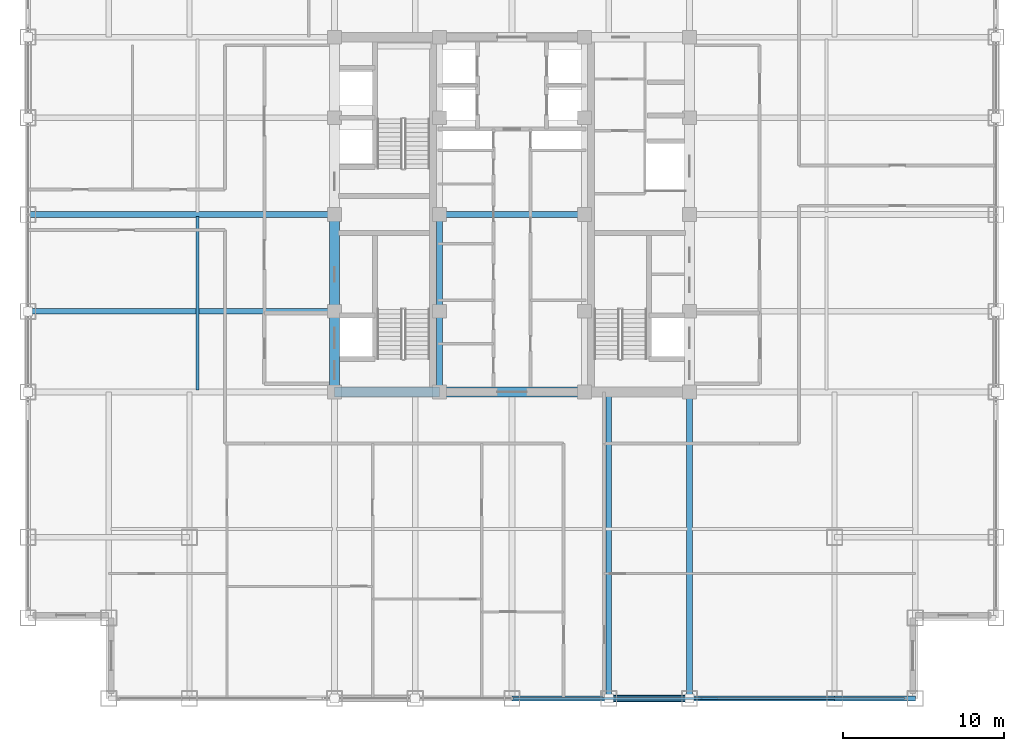
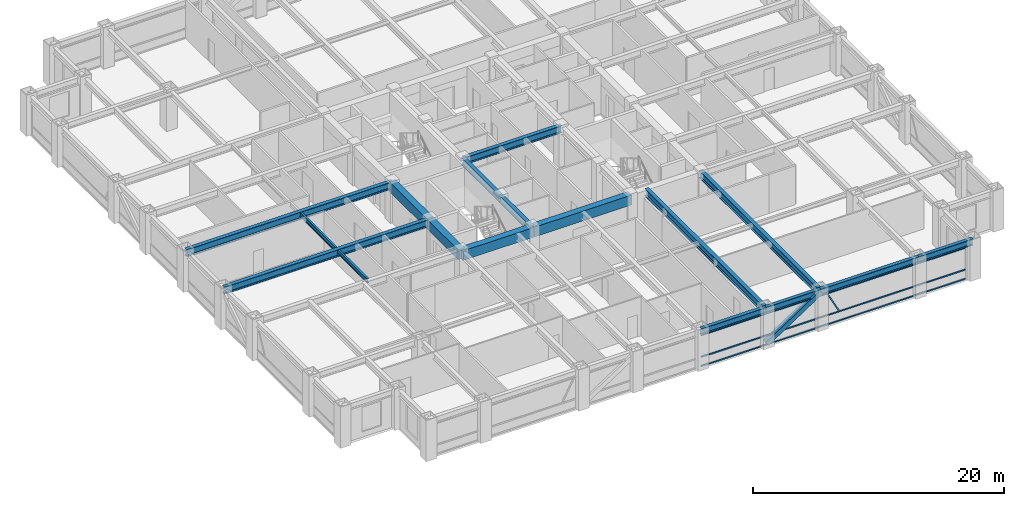
# One storey, part 7 of 24: 16 beams, 5 members, 1 element without a shape of its own.
"""IFC4 building model written with IfcOpenShell, lengths in metres."""

import ifcopenshell
import ifcopenshell.guid

model = None  # the IFC model being written
_history = None  # IfcOwnerHistory: only IFC2X3 demands one
_inside = {}  # id of a spatial element -> (the spatial element, [elements in it])
_under = {}  # id of a project, library or spatial element -> (it, [spatial elements below it])
_declared = {}  # id of a project -> (the project, [libraries it declares])
_typed = {}  # id of a type object -> (the type object, [elements of that type])
_made_of = {}  # id of a material, layer set ... -> (it, [elements and type objects made of it])


def new_model(schema):
    """Start an empty IFC model of exactly this schema.

    Asked for "IFC4X3", IfcOpenShell would pick the latest addendum, in which some entities
    have other attributes; the version numbers below select the first issue.
    IFC2X3 requires an IfcOwnerHistory on every rooted entity: one is made here for all.
    """
    global model, _history
    if schema == "IFC4X3":
        model = ifcopenshell.file(schema_version=(4, 3, 0, 0))
    else:
        model = ifcopenshell.file(schema=schema)
    _inside.clear()
    _under.clear()
    _declared.clear()
    _typed.clear()
    _made_of.clear()
    _history = None
    if model.schema == "IFC2X3":
        org = make("IfcOrganization", Name="unknown")
        user = make(
            "IfcPersonAndOrganization",
            ThePerson=make("IfcPerson", FamilyName="unknown"),
            TheOrganization=org,
        )
        app = make(
            "IfcApplication",
            ApplicationDeveloper=org,
            Version="unknown",
            ApplicationFullName="unknown",
            ApplicationIdentifier="unknown",
        )
        _history = make(
            "IfcOwnerHistory",
            OwningUser=user,
            OwningApplication=app,
            ChangeAction="ADDED",
            CreationDate=0,
        )
    return model


def make(cls, **values):
    """One entity of the class cls with the attributes given. An attribute that is None is left unset."""
    return model.create_entity(
        cls, **{name: value for name, value in values.items() if value is not None}
    )


def rooted(cls, **values):
    """An entity with a GlobalId (a new one), such as an element, a storey or a relation."""
    return make(cls, GlobalId=ifcopenshell.guid.new(), OwnerHistory=_history, **values)


def si_unit(unit_type, name, prefix=None):
    """IfcSIUnit, for example si_unit("LENGTHUNIT", "METRE", prefix="MILLI")."""
    return make("IfcSIUnit", UnitType=unit_type, Prefix=prefix, Name=name)


def assignment(units):
    """IfcUnitAssignment: the units of a project."""
    return None if units is None else make("IfcUnitAssignment", Units=units)


def point(xyz):
    """IfcCartesianPoint."""
    return None if xyz is None else make("IfcCartesianPoint", Coordinates=xyz)


def direction(xyz):
    """IfcDirection."""
    return None if xyz is None else make("IfcDirection", DirectionRatios=xyz)


def frame(location, z_axis=None, x_axis=None):
    """IfcAxis2Placement3D, a coordinate frame: its origin and axes. An axis left out is left unset."""
    return make(
        "IfcAxis2Placement3D",
        Location=point(location),
        Axis=direction(z_axis),
        RefDirection=direction(x_axis),
    )


def frame_2d(location, x_axis=None):
    """IfcAxis2Placement2D, a coordinate frame in the plane: its origin and x axis."""
    return make(
        "IfcAxis2Placement2D", Location=point(location), RefDirection=direction(x_axis)
    )


def origin():
    """The frame at (0, 0, 0) with its axes left unset."""
    return frame((0.0, 0.0, 0.0))


def origin_2d():
    """The frame at (0, 0) in the plane with its x axis left unset."""
    return frame_2d((0.0, 0.0))


def place(relative_to, where):
    """IfcLocalPlacement: puts the frame where relative to a parent placement (None: the world)."""
    return make(
        "IfcLocalPlacement", PlacementRelTo=relative_to, RelativePlacement=where
    )


def context(
    kind, dimensions, precision=None, world=None, true_north=None, identifier=None
):
    """IfcGeometricRepresentationContext, for example the 3D "Model" context."""
    return make(
        "IfcGeometricRepresentationContext",
        ContextIdentifier=identifier,
        ContextType=kind,
        CoordinateSpaceDimension=dimensions,
        Precision=precision,
        WorldCoordinateSystem=world,
        TrueNorth=true_north,
    )


def subcontext(parent, identifier, kind, view, scale=None):
    """IfcGeometricRepresentationSubContext, for example "Body" below "Model"."""
    return make(
        "IfcGeometricRepresentationSubContext",
        ContextIdentifier=identifier,
        ContextType=kind,
        ParentContext=parent,
        TargetScale=scale,
        TargetView=view,
    )


def project(units=None, contexts=None):
    """IfcProject with its units and contexts."""
    return rooted(
        "IfcProject",
        Name="project",
        RepresentationContexts=contexts,
        UnitsInContext=assignment(units),
    )


def spatial(cls, under=None, at=None, **own):
    """A site, building, storey or space (cls), placed at a placement, below another one or the project."""
    s = rooted(cls, ObjectPlacement=at, **own)
    if under is not None:
        _under.setdefault(under.id(), (under, []))[1].append(s)
    return s


def profile(cls, at=None, kind="AREA", **sizes):
    """A parametric profile (cls). Its sizes go by their IFC names, for example OverallWidth=200.0."""
    return make(cls, ProfileType=kind, Position=at, **sizes)


def rectangle(**sizes):
    """IfcRectangleProfileDef."""
    return profile("IfcRectangleProfileDef", **sizes)


def hollow_rectangle(**sizes):
    """IfcRectangleHollowProfileDef."""
    return profile("IfcRectangleHollowProfileDef", **sizes)


def i_section(**sizes):
    """IfcIShapeProfileDef."""
    return profile("IfcIShapeProfileDef", **sizes)


def extrude(swept, where, along, depth):
    """IfcExtrudedAreaSolid: the profile swept, set in the frame where, extruded along a direction by depth."""
    return make(
        "IfcExtrudedAreaSolid",
        SweptArea=swept,
        Position=where,
        ExtrudedDirection=direction(along),
        Depth=depth,
    )


def shape(context_of_items, identifier, shape_type, items):
    """IfcShapeRepresentation: the items that make up one representation, for example the "Body"."""
    return make(
        "IfcShapeRepresentation",
        ContextOfItems=context_of_items,
        RepresentationIdentifier=identifier,
        RepresentationType=shape_type,
        Items=items,
    )


def source(mapping_origin, context_of_items, identifier, shape_type, items):
    """IfcRepresentationMap: a shape defined once, which mapped items show again and again."""
    return make(
        "IfcRepresentationMap",
        MappingOrigin=mapping_origin,
        MappedRepresentation=shape(context_of_items, identifier, shape_type, items),
    )


def transform(
    local_origin,
    x_axis=None,
    y_axis=None,
    z_axis=None,
    scale=None,
    scale2=None,
    scale3=None,
    uniform=True,
):
    """IfcCartesianTransformationOperator3D, or its non-uniform kind. x_axis, y_axis, z_axis: its Axis1, 2, 3."""
    if uniform:
        return make(
            "IfcCartesianTransformationOperator3D",
            Axis1=direction(x_axis),
            Axis2=direction(y_axis),
            LocalOrigin=point(local_origin),
            Scale=scale,
            Axis3=direction(z_axis),
        )
    return make(
        "IfcCartesianTransformationOperator3DnonUniform",
        Axis1=direction(x_axis),
        Axis2=direction(y_axis),
        LocalOrigin=point(local_origin),
        Scale=scale,
        Axis3=direction(z_axis),
        Scale2=scale2,
        Scale3=scale3,
    )


def mapped(mapping_source, mapping_target):
    """IfcMappedItem: shows the shape of a source again, moved by a transform."""
    return make(
        "IfcMappedItem", MappingSource=mapping_source, MappingTarget=mapping_target
    )


def material(Name=None, Category=None):
    """IfcMaterial."""
    return make("IfcMaterial", Name=Name, Category=Category)


def material_profile(
    of_material, cross_section, Name=None, Category=None, Priority=None
):
    """IfcMaterialProfile: a cross section and its material."""
    return make(
        "IfcMaterialProfile",
        Name=Name,
        Material=of_material,
        Profile=cross_section,
        Priority=Priority,
        Category=Category,
    )


def profile_set(profiles, Name=None, composite=None):
    """IfcMaterialProfileSet."""
    return make(
        "IfcMaterialProfileSet",
        Name=Name,
        MaterialProfiles=profiles,
        CompositeProfile=composite,
    )


def made_of(thing, what):
    """Note that an element or type object is made of a material, layer set ...; save() writes the relation."""
    if what is not None:
        _made_of.setdefault(what.id(), (what, []))[1].append(thing)
    return thing


def type_object(cls, material=None, **own):
    """A type object (cls), such as IfcWallType, which elements share."""
    return made_of(rooted(cls, **own), material)


def element(
    cls,
    number,
    at=None,
    inside=None,
    cuts=None,
    type_object=None,
    material=None,
    context=None,
    identifier="Body",
    shape_type=None,
    held_by="IfcProductDefinitionShape",
    body=None,
    shapes=None,
    **own,
):
    """One element of the class cls, such as IfcWall. Its Tag is "e" and its number.

    at: its placement. inside: the storey or other place that contains it. cuts: it is an
    opening in that element (IfcRelVoidsElement). A single representation is given by context,
    identifier, shape_type and body (its items); several are given by shapes. held_by: the class
    of the entity that holds the representations. save() writes the other relations.
    """
    e = rooted(cls, Tag="e%d" % number, ObjectPlacement=at, **own)
    if body is not None:
        shapes = [shape(context, identifier, shape_type, body)]
    if shapes is not None:
        e.Representation = make(held_by, Representations=shapes)
    if inside is not None:
        _inside.setdefault(inside.id(), (inside, []))[1].append(e)
    if cuts is not None:
        rooted(
            "IfcRelVoidsElement", RelatingBuildingElement=cuts, RelatedOpeningElement=e
        )
    if type_object is not None:
        _typed.setdefault(type_object.id(), (type_object, []))[1].append(e)
    return made_of(e, material)


def aggregate(whole, parts):
    """IfcRelAggregates: a whole, such as a stair, and the parts it consists of."""
    return rooted("IfcRelAggregates", RelatingObject=whole, RelatedObjects=parts)


def save(model, path):
    """Write the relations noted so far, then the file.

    IfcRelAggregates (storeys below a building ...), IfcRelContainedInSpatialStructure (elements
    in a storey), IfcRelDefinesByType, IfcRelAssociatesMaterial and IfcRelDeclares: one each for
    every whole, place, type object, material and project.
    """
    for whole, parts in _under.values():
        aggregate(whole, parts)
    for where, things in _inside.values():
        rooted(
            "IfcRelContainedInSpatialStructure",
            RelatedElements=things,
            RelatingStructure=where,
        )
    for kind, things in _typed.values():
        rooted("IfcRelDefinesByType", RelatedObjects=things, RelatingType=kind)
    for what, things in _made_of.values():
        rooted("IfcRelAssociatesMaterial", RelatedObjects=things, RelatingMaterial=what)
    for by, libraries in _declared.values():
        rooted("IfcRelDeclares", RelatingContext=by, RelatedDefinitions=libraries)
    model.write(path)


model = new_model("IFC4")

# Units and contexts
model_context = context("Model", 3, precision=1e-05, world=origin(), true_north=direction((0.0, 1.0)))
body_context = subcontext(model_context, "Body", "Model", "MODEL_VIEW")
ifc_project = project(units=[si_unit("LENGTHUNIT", "METRE"), si_unit("AREAUNIT", "SQUARE_METRE"), si_unit("VOLUMEUNIT", "CUBIC_METRE"), si_unit("PLANEANGLEUNIT", "RADIAN"), si_unit("MASSUNIT", "GRAM", prefix="KILO")], contexts=[model_context])

# Site, building, storey
site_placement = place(None, origin())
site = spatial("IfcSite", under=ifc_project, at=site_placement, CompositionType="ELEMENT")
building_placement = place(site_placement, origin())
building = spatial("IfcBuilding", under=site, at=building_placement, Name="Khorayat Bourse Tower", CompositionType="ELEMENT")
storey_placement = place(building_placement, frame((0.0, 0.0, 215.10009765625)))
storey = spatial("IfcBuildingStorey", under=building, at=storey_placement, Name="L50", CompositionType="ELEMENT", Elevation=215.10009765625)

# Beams
ifc_material_1 = material(Name="Steel ASTM A992 Grade 50", Category="steel")
ifc_material_profile_1 = material_profile(ifc_material_1, i_section(OverallWidth=0.35498046875, OverallDepth=0.695068359375, WebThickness=0.015380859375, FlangeThickness=0.02490234375, FilletRadius=0.01806640625, at=origin_2d()), Name="W690X217")
ifc_profile_set_1 = profile_set([ifc_material_profile_1], Name="Steel ASTM A992 Grade 50")
beam_type_1 = type_object("IfcBeamType", Name="BM-GIRD-690", PredefinedType="BEAM", material=ifc_profile_set_1)
shared_shape_1 = source(origin(), body_context, "Body", "SweptSolid", [
    extrude(i_section(OverallWidth=0.35498046875, OverallDepth=0.695068359375, WebThickness=0.015380859375, FlangeThickness=0.02490234375, FilletRadius=0.01806640625, at=origin_2d()), origin(), (0.0, 0.0, 1.0), 5.0),
])
beam_1_placement = place(storey_placement, frame((-4.5, -11.0, 3.432373046875), z_axis=(0.0, 1.0, 0.0), x_axis=(-1.0, 0.0, 0.0)))
element("IfcBeam", 1, at=beam_1_placement, inside=storey, type_object=beam_type_1, Name="L50 BM-GIRD-690 BM-L50-CRX-05", PredefinedType="BEAM", context=body_context, shape_type="MappedRepresentation", body=[
    mapped(shared_shape_1, transform((0.0, 0.0, 0.0), scale=1.0)),
])
shared_shape_2 = source(origin(), body_context, "Body", "SweptSolid", [
    extrude(i_section(OverallWidth=0.35498046875, OverallDepth=0.695068359375, WebThickness=0.015380859375, FlangeThickness=0.02490234375, FilletRadius=0.01806640625, at=origin_2d()), origin(), (0.0, 0.0, 1.0), 6.0),
])
beam_2_placement = place(storey_placement, frame((-4.5, -6.0, 3.432373046875), z_axis=(0.0, 1.0, 0.0), x_axis=(-1.0, 0.0, 0.0)))
element("IfcBeam", 2, at=beam_2_placement, inside=storey, type_object=beam_type_1, Name="L50 BM-GIRD-690 BM-L50-CRX-06", PredefinedType="BEAM", context=body_context, shape_type="MappedRepresentation", body=[
    mapped(shared_shape_2, transform((0.0, 0.0, 0.0), scale=1.0)),
])
shared_shape_3 = source(origin(), body_context, "Body", "SweptSolid", [
    extrude(i_section(OverallWidth=0.35498046875, OverallDepth=0.695068359375, WebThickness=0.015380859375, FlangeThickness=0.02490234375, FilletRadius=0.01806640625, at=origin_2d()), origin(), (0.0, 0.0, 1.0), 9.0),
])
beam_3_placement = place(storey_placement, frame((-4.5, 0.0, 3.432373046875), z_axis=(1.0, 0.0, 0.0), x_axis=(0.0, 1.0, 0.0)))
element("IfcBeam", 3, at=beam_3_placement, inside=storey, type_object=beam_type_1, Name="L50 BM-GIRD-690 BM-L50-CRY-23", PredefinedType="BEAM", context=body_context, shape_type="MappedRepresentation", body=[
    mapped(shared_shape_3, transform((0.0, 0.0, 0.0), scale=1.0)),
])
ifc_material_profile_2 = material_profile(ifc_material_1, i_section(OverallWidth=0.180908203125, OverallDepth=0.4169921875, WebThickness=0.010986328125, FlangeThickness=0.018310546875, FilletRadius=0.011962890625, at=origin_2d()), Name="W410X85")
ifc_profile_set_2 = profile_set([ifc_material_profile_2], Name="Steel ASTM A992 Grade 50")
beam_type_2 = type_object("IfcBeamType", Name="BM-JOIST-410", PredefinedType="JOIST", material=ifc_profile_set_2)
shared_shape_4 = source(origin(), body_context, "Body", "SweptSolid", [
    extrude(i_section(OverallWidth=0.180908203125, OverallDepth=0.4169921875, WebThickness=0.010986328125, FlangeThickness=0.018310546875, FilletRadius=0.011962890625, at=origin_2d()), origin(), (0.0, 0.0, 1.0), 10.740234375),
])
beam_4_placement = place(storey_placement, frame((-19.5, -10.8701171875, 3.5712890625), z_axis=(0.0, 1.0, 0.0), x_axis=(-1.0, 0.0, 0.0)))
element("IfcBeam", 4, at=beam_4_placement, inside=storey, type_object=beam_type_2, Name="L50 BM-JOIST-410 BM-L50-JSTY-102", PredefinedType="JOIST", context=body_context, shape_type="MappedRepresentation", body=[
    mapped(shared_shape_4, transform((0.0, 0.0, 0.0), scale=1.0)),
])
ifc_material_profile_3 = material_profile(ifc_material_1, i_section(OverallWidth=0.324951171875, OverallDepth=0.615966796875, WebThickness=0.013916015625, FlangeThickness=0.021484375, FilletRadius=0.01611328125, at=origin_2d()), Name="W610X174")
ifc_profile_set_3 = profile_set([ifc_material_profile_3], Name="Steel ASTM A992 Grade 50")
beam_type_3 = type_object("IfcBeamType", Name="BM-SPAN-610", PredefinedType="SPANDREL", material=ifc_profile_set_3)
shared_shape_5 = source(origin(), body_context, "Body", "SweptSolid", [
    extrude(i_section(OverallWidth=0.324951171875, OverallDepth=0.615966796875, WebThickness=0.013916015625, FlangeThickness=0.021484375, FilletRadius=0.01611328125, at=origin_2d()), origin(), (0.0, 0.0, 1.0), 9.0),
])
beam_5_placement = place(storey_placement, frame((11.0, -30.0, 3.471923828125), z_axis=(1.0, 0.0, 0.0), x_axis=(0.0, 1.0, 0.0)))
element("IfcBeam", 5, at=beam_5_placement, inside=storey, type_object=beam_type_3, Name="L50 BM-SPAN-610 BM-L50-SPN-030", PredefinedType="SPANDREL", context=body_context, shape_type="MappedRepresentation", body=[
    mapped(shared_shape_5, transform((0.0, 0.0, 0.0), scale=1.0)),
])
shared_shape_6 = source(origin(), body_context, "Body", "SweptSolid", [
    extrude(i_section(OverallWidth=0.324951171875, OverallDepth=0.615966796875, WebThickness=0.013916015625, FlangeThickness=0.021484375, FilletRadius=0.01611328125, at=origin_2d()), origin(), (0.0, 0.0, 1.0), 5.0),
])
for number, where, z_axis, x_axis, name in (
    (6, (6.0, -30.0, 3.471923828125), (1.0, 0.0, 0.0), (0.0, 1.0, 0.0), "L50 BM-SPAN-610 BM-L50-SPN-029"),
    (7, (20.0, -30.0, 3.471923828125), (1.0, 0.0, 0.0), (0.0, 1.0, 0.0), "L50 BM-SPAN-610 BM-L50-SPN-031"),
):
    element("IfcBeam", number, at=place(storey_placement, frame(where, z_axis=z_axis, x_axis=x_axis)), inside=storey, type_object=beam_type_3, Name=name, PredefinedType="SPANDREL", context=body_context, shape_type="MappedRepresentation", body=[
        mapped(shared_shape_6, transform((0.0, 0.0, 0.0), scale=1.0)),
    ])
shared_shape_7 = source(origin(), body_context, "Body", "SweptSolid", [
    extrude(i_section(OverallWidth=0.324951171875, OverallDepth=0.615966796875, WebThickness=0.013916015625, FlangeThickness=0.021484375, FilletRadius=0.01611328125, at=origin_2d()), origin(), (0.0, 0.0, 1.0), 6.0),
])
beam_6_placement = place(storey_placement, frame((0.0, -30.0, 3.471923828125), z_axis=(1.0, 0.0, 0.0), x_axis=(0.0, 1.0, 0.0)))
element("IfcBeam", 8, at=beam_6_placement, inside=storey, type_object=beam_type_3, Name="L50 BM-SPAN-610 BM-L50-SPN-028", PredefinedType="SPANDREL", context=body_context, shape_type="MappedRepresentation", body=[
    mapped(shared_shape_7, transform((0.0, 0.0, 0.0), scale=1.0)),
])
ifc_material_2 = material(Name="Concrete C60/75", Category="concrete")
ifc_material_profile_4 = material_profile(ifc_material_2, rectangle(XDim=0.60009765625, YDim=0.949951171875, at=origin_2d()), Name="RC 600x950")
ifc_profile_set_4 = profile_set([ifc_material_profile_4], Name="Concrete C60/75")
beam_type_4 = type_object("IfcBeamType", Name="BM-COUP-950", PredefinedType="BEAM", material=ifc_profile_set_4)
shared_shape_8 = source(origin(), body_context, "Body", "SweptSolid", [
    extrude(rectangle(XDim=0.60009765625, YDim=0.949951171875, at=origin_2d()), origin(), (0.0, 0.0, 1.0), 5.0),
])
beam_7_placement = place(storey_placement, frame((-11.0, -11.0, 3.304931640625), z_axis=(0.0, 1.0, 0.0), x_axis=(-1.0, 0.0, 0.0)))
element("IfcBeam", 9, at=beam_7_placement, inside=storey, type_object=beam_type_4, Name="L50 BM-COUP-950 BM-L50-CRX-01", PredefinedType="BEAM", context=body_context, shape_type="MappedRepresentation", body=[
    mapped(shared_shape_8, transform((0.0, 0.0, 0.0), scale=1.0)),
])
shared_shape_9 = source(origin(), body_context, "Body", "SweptSolid", [
    extrude(rectangle(XDim=0.60009765625, YDim=0.949951171875, at=origin_2d()), origin(), (0.0, 0.0, 1.0), 6.0),
])
beam_8_placement = place(storey_placement, frame((-11.0, -6.0, 3.304931640625), z_axis=(0.0, 1.0, 0.0), x_axis=(-1.0, 0.0, 0.0)))
element("IfcBeam", 10, at=beam_8_placement, inside=storey, type_object=beam_type_4, Name="L50 BM-COUP-950 BM-L50-CRX-02", PredefinedType="BEAM", context=body_context, shape_type="MappedRepresentation", body=[
    mapped(shared_shape_9, transform((0.0, 0.0, 0.0), scale=1.0)),
])
shared_shape_10 = source(origin(), body_context, "Body", "SweptSolid", [
    extrude(rectangle(XDim=0.60009765625, YDim=0.949951171875, at=origin_2d()), origin(), (0.0, 0.0, 1.0), 6.5),
])
beam_9_placement = place(storey_placement, frame((-11.0, -11.0, 3.304931640625), z_axis=(1.0, 0.0, 0.0), x_axis=(0.0, 1.0, 0.0)))
element("IfcBeam", 11, at=beam_9_placement, inside=storey, type_object=beam_type_4, Name="L50 BM-COUP-950 BM-L50-CRY-17", PredefinedType="BEAM", context=body_context, shape_type="MappedRepresentation", body=[
    mapped(shared_shape_10, transform((0.0, 0.0, 0.0), scale=1.0)),
])
shared_shape_11 = source(origin(), body_context, "Body", "SweptSolid", [
    extrude(rectangle(XDim=0.60009765625, YDim=0.949951171875, at=origin_2d()), origin(), (0.0, 0.0, 1.0), 9.0),
])
beam_10_placement = place(storey_placement, frame((-4.5, -11.0, 3.304931640625), z_axis=(1.0, 0.0, 0.0), x_axis=(0.0, 1.0, 0.0)))
element("IfcBeam", 12, at=beam_10_placement, inside=storey, type_object=beam_type_4, Name="L50 BM-COUP-950 BM-L50-CRY-18", PredefinedType="BEAM", context=body_context, shape_type="MappedRepresentation", body=[
    mapped(shared_shape_11, transform((0.0, 0.0, 0.0), scale=1.0)),
])
shared_shape_12 = source(origin(), body_context, "Body", "SweptSolid", [
    extrude(i_section(OverallWidth=0.35498046875, OverallDepth=0.695068359375, WebThickness=0.015380859375, FlangeThickness=0.02490234375, FilletRadius=0.01806640625, at=origin_2d()), origin(), (0.0, 0.0, 1.0), 19.0),
])
for number, where, z_axis, x_axis, name in (
    (13, (6.0, -30.0, 3.432373046875), (0.0, 1.0, 0.0), (-1.0, 0.0, 0.0), "L50 BM-GIRD-690 BM-L50-RADY-071"),
    (14, (11.0, -30.0, 3.432373046875), (0.0, 1.0, 0.0), (-1.0, 0.0, 0.0), "L50 BM-GIRD-690 BM-L50-RADY-073"),
    (15, (-30.0, -6.0, 3.432373046875), (1.0, 0.0, 0.0), (0.0, 1.0, 0.0), "L50 BM-GIRD-690 BM-L50-RADX-077"),
    (16, (-30.0, 0.0, 3.432373046875), (1.0, 0.0, 0.0), (0.0, 1.0, 0.0), "L50 BM-GIRD-690 BM-L50-RADX-079"),
):
    element("IfcBeam", number, at=place(storey_placement, frame(where, z_axis=z_axis, x_axis=x_axis)), inside=storey, type_object=beam_type_1, Name=name, PredefinedType="BEAM", context=body_context, shape_type="MappedRepresentation", body=[
        mapped(shared_shape_12, transform((0.0, 0.0, 0.0), scale=1.0)),
    ])

# Member
ifc_material_3 = material(Name="Steel EN 10025-4 S460M", Category="steel")
ifc_material_profile_5 = material_profile(ifc_material_3, hollow_rectangle(XDim=0.449951171875, YDim=0.449951171875, WallThickness=0.02490234375, at=origin_2d()), Name="HSS 450x450x25")
ifc_profile_set_5 = profile_set([ifc_material_profile_5], Name="Steel EN 10025-4 S460M")
member_type_1 = type_object("IfcMemberType", Name="MBR-TUBE-450", PredefinedType="BRACE", material=ifc_profile_set_5)
shared_shape_13 = source(origin(), body_context, "Body", "SweptSolid", [
    extrude(hollow_rectangle(XDim=0.449951171875, YDim=0.449951171875, WallThickness=0.02490234375, at=origin_2d()), origin(), (0.0, 0.0, 1.0), 5.979736328125),
])
member_1_placement = place(storey_placement, frame((6.0, -30.0, 0.25), z_axis=(0.836160261256, 0.0, 0.548485202623), x_axis=(0.0, 1.0, 0.0)))
element("IfcMember", 17, at=member_1_placement, inside=storey, type_object=member_type_1, Name="L50 Perimeter Tube Brace 02", PredefinedType="BRACE", context=body_context, shape_type="MappedRepresentation", body=[
    mapped(shared_shape_13, transform((0.0, 0.0, 0.0), scale=1.0)),
])

# Curtain wall, members
ifc_material_4 = material(Name="Aluminium EN AW-6063 T6", Category="aluminium")
curtain_wall_type = type_object("IfcCurtainWallType", Name="CW-SYS-03", PredefinedType="NOTDEFINED", material=ifc_material_4)
curtain_wall_placement = place(storey_placement, origin())
curtain_wall = element("IfcCurtainWall", 18, at=curtain_wall_placement, inside=storey, type_object=curtain_wall_type, Name="L50 Curtain Wall CW-L50-S1", PredefinedType="NOTDEFINED")
ifc_material_profile_6 = material_profile(ifc_material_4, hollow_rectangle(XDim=0.1201171875, YDim=0.1201171875, WallThickness=0.0048828125, at=origin_2d()), Name="ALU 120x120x5")
ifc_profile_set_6 = profile_set([ifc_material_profile_6], Name="Aluminium EN AW-6063 T6")
member_type_2 = type_object("IfcMemberType", Name="CWM-DIAG-120", PredefinedType="MULLION", material=ifc_profile_set_6)
shared_shape_14 = source(origin(), body_context, "Body", "SweptSolid", [
    extrude(hollow_rectangle(XDim=0.1201171875, YDim=0.1201171875, WallThickness=0.0048828125, at=origin_2d()), origin(), (0.0, 0.0, 1.0), 2.079345703125),
])
member_2_placement = place(storey_placement, frame((12.67919921875, -30.0, 1.08984375), z_axis=(-0.465760949701, 0.0, 0.884910581773), x_axis=(0.0, -1.0, 0.0)))
member_2 = element("IfcMember", 19, at=member_2_placement, type_object=member_type_2, Name="CW-L50-S1 Faceted Diagonal Mullion 2", PredefinedType="MULLION", context=body_context, shape_type="MappedRepresentation", body=[
    mapped(shared_shape_14, transform((0.0, 0.0, 0.0), scale=1.0)),
])
ifc_material_profile_7 = material_profile(ifc_material_4, hollow_rectangle(XDim=0.1201171875, YDim=0.1201171875, WallThickness=0.0048828125, at=origin_2d()), Name="ALU 120x120x5")
ifc_profile_set_7 = profile_set([ifc_material_profile_7], Name="Aluminium EN AW-6063 T6")
member_type_3 = type_object("IfcMemberType", Name="CWT-HORZ-120", PredefinedType="USERDEFINED", material=ifc_profile_set_7)
shared_shape_15 = source(origin(), body_context, "Body", "SweptSolid", [
    extrude(hollow_rectangle(XDim=0.1201171875, YDim=0.1201171875, WallThickness=0.0048828125, at=origin_2d()), origin(), (0.0, 0.0, 1.0), 24.27001953125),
])
member_3_placement = place(storey_placement, frame((0.06005859375, -30.0, 0.059814453125), z_axis=(1.0, 0.0, 0.0), x_axis=(0.0, 1.0, 0.0)))
member_3 = element("IfcMember", 20, at=member_3_placement, type_object=member_type_3, Name="CW-L50-S1 Horizontal Transom 2-1", ObjectType="TRANSOM", PredefinedType="USERDEFINED", context=body_context, shape_type="MappedRepresentation", body=[
    mapped(shared_shape_15, transform((0.0, 0.0, 0.0), scale=1.0)),
])
member_4_placement = place(storey_placement, frame((0.06005859375, -30.0, 0.949951171875), z_axis=(1.0, 0.0, 0.0), x_axis=(0.0, 1.0, 0.0)))
member_4 = element("IfcMember", 21, at=member_4_placement, type_object=member_type_3, Name="CW-L50-S1 Horizontal Transom 2-2", ObjectType="TRANSOM", PredefinedType="USERDEFINED", context=body_context, shape_type="MappedRepresentation", body=[
    mapped(shared_shape_15, transform((0.0, 0.0, 0.0), scale=1.0)),
])
member_5_placement = place(storey_placement, frame((0.06005859375, -30.0, 3.06982421875), z_axis=(1.0, 0.0, 0.0), x_axis=(0.0, 1.0, 0.0)))
member_5 = element("IfcMember", 22, at=member_5_placement, type_object=member_type_3, Name="CW-L50-S1 Horizontal Transom 2-3", ObjectType="TRANSOM", PredefinedType="USERDEFINED", context=body_context, shape_type="MappedRepresentation", body=[
    mapped(shared_shape_15, transform((0.0, 0.0, 0.0), scale=1.0)),
])
aggregate(curtain_wall, [member_3, member_4, member_5, member_2])

save(model, "model.ifc")
